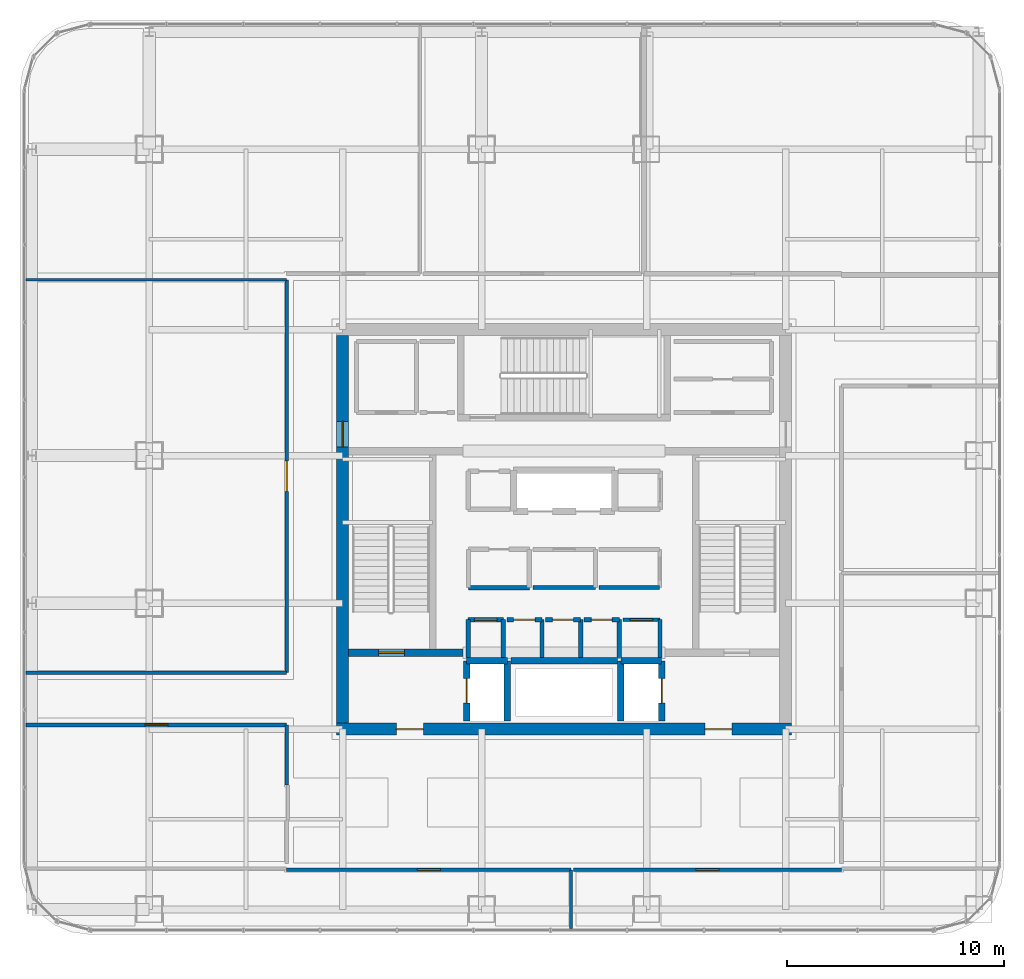
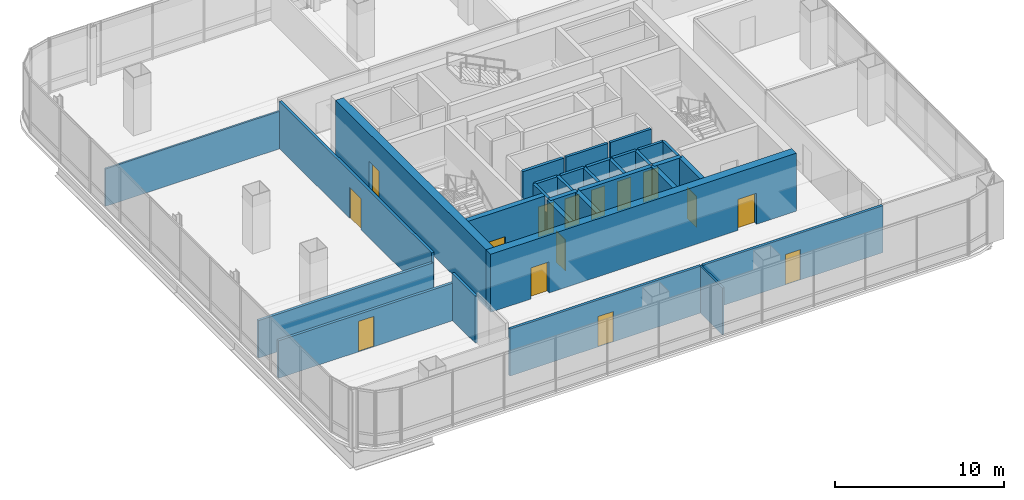
# One storey, part 34 of 41: 32 walls, 15 doors, 15 openings.
"""IFC4 building model written with IfcOpenShell, lengths in metres."""

from ifc_helpers import new_model, si_unit, direction, frame, frame_2d, origin, place, context, subcontext, project, spatial, rectangle, extrude, material, layer, layer_set, type_object, element, fill, save


model = new_model("IFC4")

# Units and contexts
model_context = context("Model", 3, precision=1e-05, world=origin(), true_north=direction((0.0, 1.0)))
body_context = subcontext(model_context, "Body", "Model", "MODEL_VIEW")
ifc_project = project(units=[si_unit("LENGTHUNIT", "METRE"), si_unit("AREAUNIT", "SQUARE_METRE"), si_unit("VOLUMEUNIT", "CUBIC_METRE"), si_unit("PLANEANGLEUNIT", "RADIAN"), si_unit("MASSUNIT", "GRAM", prefix="KILO")], contexts=[model_context])

# Site, building, storey
site_placement = place(None, origin())
site = spatial("IfcSite", under=ifc_project, at=site_placement, CompositionType="ELEMENT")
building_placement = place(site_placement, origin())
building = spatial("IfcBuilding", under=site, at=building_placement, Name="Punatoya Terracotta Tower", CompositionType="ELEMENT")
storey_placement = place(building_placement, frame((0.0, 0.0, 288.0)))
storey = spatial("IfcBuildingStorey", under=building, at=storey_placement, Name="L68", CompositionType="ELEMENT", Elevation=288.0)

# Wall, openings, doors
ifc_material_1 = material(Name="Concrete C50/60", Category="concrete")
ifc_layer_1 = layer(ifc_material_1, 0.550048828125)
ifc_layer_set_1 = layer_set([ifc_layer_1], Name="Concrete C50/60")
wall_type_1 = type_object("IfcWallType", Name="WL-COR-550", PredefinedType="SHEAR", material=ifc_layer_set_1)
wall_1_placement = place(storey_placement, frame((10.47509765625, -9.199951171875, 0.0), z_axis=(0.0, 0.0, 1.0), x_axis=(-1.0, 0.0, 0.0)))
wall_1 = element("IfcWall", 1, at=wall_1_placement, inside=storey, type_object=wall_type_1, Name="L68 Core Shear Wall S", PredefinedType="SHEAR", context=body_context, shape_type="SweptSolid", body=[
    extrude(rectangle(XDim=20.9501953125, YDim=0.550048828125, at=frame_2d((10.47509765625, 0.0))), origin(), (0.0, 0.0, 1.0), 4.199951171875),
])
opening_1_placement = place(wall_1_placement, frame((2.75, 0.0, 0.0)))
opening_1 = element("IfcOpeningElement", 2, at=opening_1_placement, cuts=wall_1, Name="Opening FD-L1", PredefinedType="OPENING", context=body_context, shape_type="SweptSolid", body=[
    extrude(rectangle(XDim=1.25, YDim=2.25, at=frame_2d((0.625, 1.125))), frame((0.0, 0.284912109375, 0.0), z_axis=(0.0, -1.0, 0.0), x_axis=(1.0, 0.0, 0.0)), (0.0, 0.0, 1.0), 0.570068359375),
])
opening_2_placement = place(wall_1_placement, frame((16.949951171875, 0.0, 0.0)))
opening_2 = element("IfcOpeningElement", 3, at=opening_2_placement, cuts=wall_1, Name="Opening FD-L1", PredefinedType="OPENING", context=body_context, shape_type="SweptSolid", body=[
    extrude(rectangle(XDim=1.25, YDim=2.25, at=frame_2d((0.625, 1.125))), frame((0.0, 0.284912109375, 0.0), z_axis=(0.0, -1.0, 0.0), x_axis=(1.0, 0.0, 0.0)), (0.0, 0.0, 1.0), 0.570068359375),
])
ifc_material_2 = material(Name="Galvanised Steel Smokeproof Fire Door", Category="steel")
door_type_1 = type_object("IfcDoorType", Name="DR-FFL-1250", OperationType="NOTDEFINED", PredefinedType="DOOR", material=ifc_material_2)
door_1_placement = place(opening_1_placement, origin())
door_1 = element("IfcDoor", 4, at=door_1_placement, inside=storey, type_object=door_type_1, Name="L68 East Firefighting Lobby Corridor Fire Door", OperationType="SINGLE_SWING_LEFT", OverallHeight=2.25, OverallWidth=1.25, PredefinedType="DOOR", context=body_context, shape_type="SweptSolid", body=[
    extrude(rectangle(XDim=1.25, YDim=2.25, at=frame_2d((0.625, 1.125))), frame((0.0, 0.02490234375, 0.0), z_axis=(0.0, -1.0, 0.0), x_axis=(1.0, 0.0, 0.0)), (0.0, 0.0, 1.0), 0.050048828125),
])
fill(opening_1, door_1)
door_2_placement = place(opening_2_placement, origin())
door_2 = element("IfcDoor", 5, at=door_2_placement, inside=storey, type_object=door_type_1, Name="L68 West Firefighting Lobby Corridor Fire Door", OperationType="SINGLE_SWING_RIGHT", OverallHeight=2.25, OverallWidth=1.25, PredefinedType="DOOR", context=body_context, shape_type="SweptSolid", body=[
    extrude(rectangle(XDim=1.25, YDim=2.25, at=frame_2d((0.625, 1.125))), frame((0.0, 0.02490234375, 0.0), z_axis=(0.0, -1.0, 0.0), x_axis=(1.0, 0.0, 0.0)), (0.0, 0.0, 1.0), 0.050048828125),
])
fill(opening_2, door_2)

# Wall, opening, door
wall_2_placement = place(storey_placement, frame((-10.199951171875, -8.925048828125, 0.0), z_axis=(0.0, 0.0, 1.0), x_axis=(0.0, 1.0, 0.0)))
wall_2 = element("IfcWall", 6, at=wall_2_placement, inside=storey, type_object=wall_type_1, Name="L68 Core Shear Wall W", PredefinedType="SHEAR", context=body_context, shape_type="SweptSolid", body=[
    extrude(rectangle(XDim=17.85009765625, YDim=0.550048828125, at=frame_2d((8.925048828125, 0.0))), origin(), (0.0, 0.0, 1.0), 4.199951171875),
])
opening_3_placement = place(wall_2_placement, frame((12.715087890625, 0.0, 0.0)))
opening_3 = element("IfcOpeningElement", 7, at=opening_3_placement, cuts=wall_2, Name="Opening SD-01", PredefinedType="OPENING", context=body_context, shape_type="SweptSolid", body=[
    extrude(rectangle(XDim=1.179931640625, YDim=2.199951171875, at=frame_2d((0.58984375, 1.10009765625))), frame((0.0, 0.284912109375, 0.0), z_axis=(0.0, -1.0, 0.0), x_axis=(1.0, 0.0, 0.0)), (0.0, 0.0, 1.0), 0.570068359375),
])
ifc_material_3 = material(Name="Galvanised Steel Pressurized Stair Fire Door", Category="steel")
door_type_2 = type_object("IfcDoorType", Name="DR-STR-1180", OperationType="NOTDEFINED", PredefinedType="DOOR", material=ifc_material_3)
door_3_placement = place(opening_3_placement, origin())
door_3 = element("IfcDoor", 8, at=door_3_placement, inside=storey, type_object=door_type_2, Name="L68 Central Lift Lobby West Fire Door", OperationType="SINGLE_SWING_LEFT", OverallHeight=2.199951171875, OverallWidth=1.179931640625, PredefinedType="DOOR", context=body_context, shape_type="SweptSolid", body=[
    extrude(rectangle(XDim=1.179931640625, YDim=2.199951171875, at=frame_2d((0.58984375, 1.10009765625))), frame((0.0, 0.02490234375, 0.0), z_axis=(0.0, -1.0, 0.0), x_axis=(1.0, 0.0, 0.0)), (0.0, 0.0, 1.0), 0.050048828125),
])
fill(opening_3, door_3)

# Wall
ifc_material_4 = material(Name="Gypsum Fireboard + Steel Stud", Category="steel")
ifc_layer_2 = layer(ifc_material_4, 0.179931640625)
ifc_layer_set_2 = layer_set([ifc_layer_2], Name="Gypsum Fireboard + Steel Stud")
wall_type_2 = type_object("IfcWallType", Name="WL-CORR-180", PredefinedType="PARTITIONING", material=ifc_layer_set_2)
wall_3_placement = place(storey_placement, frame((4.419921875, -5.89990234375, 0.0), z_axis=(0.0, 0.0, 1.0), x_axis=(0.0, 1.0, 0.0)))
element("IfcWall", 9, at=wall_3_placement, inside=storey, type_object=wall_type_2, Name="L68 Core Focus Booth Partition 10", PredefinedType="PARTITIONING", context=body_context, shape_type="SweptSolid", body=[
    extrude(rectangle(XDim=1.739990234375, YDim=0.179931640625, at=frame_2d((0.8701171875, 0.0))), origin(), (0.0, 0.0, 1.0), 4.0),
])

# Wall, opening, door
wall_4_placement = place(storey_placement, frame((4.419921875, -4.159912109375, 0.0), z_axis=(0.0, 0.0, 1.0), x_axis=(-1.0, 0.0, 0.0)))
wall_4 = element("IfcWall", 10, at=wall_4_placement, inside=storey, type_object=wall_type_2, Name="L68 Core Focus Booth Partition 11", PredefinedType="PARTITIONING", context=body_context, shape_type="SweptSolid", body=[
    extrude(rectangle(XDim=1.719970703125, YDim=0.179931640625, at=frame_2d((0.85986328125, 0.0))), origin(), (0.0, 0.0, 1.0), 4.0),
])
opening_4_placement = place(wall_4_placement, frame((0.35009765625, 0.0, 0.0)))
opening_4 = element("IfcOpeningElement", 11, at=opening_4_placement, cuts=wall_4, Name="Opening MD-01", PredefinedType="OPENING", context=body_context, shape_type="SweptSolid", body=[
    extrude(rectangle(XDim=1.02001953125, YDim=2.199951171875, at=frame_2d((0.510009765625, 1.10009765625))), frame((0.0, 0.099853515625, 0.0), z_axis=(0.0, -1.0, 0.0), x_axis=(1.0, 0.0, 0.0)), (0.0, 0.0, 1.0), 0.199951171875),
])
ifc_material_5 = material(Name="Aluminium + Acoustic Glass Leaf", Category="aluminium")
door_type_3 = type_object("IfcDoorType", Name="DR-MTG-1020", OperationType="NOTDEFINED", PredefinedType="DOOR", material=ifc_material_5)
door_4_placement = place(opening_4_placement, origin())
door_4 = element("IfcDoor", 12, at=door_4_placement, inside=storey, type_object=door_type_3, Name="L68 Focus Booth Door", OperationType="SINGLE_SWING_RIGHT", OverallHeight=2.199951171875, OverallWidth=1.02001953125, PredefinedType="DOOR", context=body_context, shape_type="SweptSolid", body=[
    extrude(rectangle(XDim=1.02001953125, YDim=2.199951171875, at=frame_2d((0.510009765625, 1.10009765625))), frame((0.0, 0.02490234375, 0.0), z_axis=(0.0, -1.0, 0.0), x_axis=(1.0, 0.0, 0.0)), (0.0, 0.0, 1.0), 0.050048828125),
])
fill(opening_4, door_4)

# Walls
wall_5_placement = place(storey_placement, frame((-1.43994140625, -2.679931640625, 0.0), z_axis=(0.0, 0.0, 1.0), x_axis=(1.0, 0.0, 0.0)))
element("IfcWall", 13, at=wall_5_placement, inside=storey, type_object=wall_type_2, Name="L68 Center Core Briefing Pod Partition 18", PredefinedType="PARTITIONING", context=body_context, shape_type="SweptSolid", body=[
    extrude(rectangle(XDim=2.8798828125, YDim=0.179931640625, at=frame_2d((1.43994140625, 0.0))), origin(), (0.0, 0.0, 1.0), 4.0),
])
wall_6_placement = place(storey_placement, frame((1.60009765625, -2.679931640625, 0.0), z_axis=(0.0, 0.0, 1.0), x_axis=(1.0, 0.0, 0.0)))
element("IfcWall", 14, at=wall_6_placement, inside=storey, type_object=wall_type_2, Name="L68 Right Core Copy Room Partition 21", PredefinedType="PARTITIONING", context=body_context, shape_type="SweptSolid", body=[
    extrude(rectangle(XDim=2.7998046875, YDim=0.179931640625, at=frame_2d((1.39990234375, 0.0))), origin(), (0.0, 0.0, 1.0), 4.0),
])

# Wall, opening, door
wall_7_placement = place(storey_placement, frame((-12.77001953125, -15.669921875, 0.0), z_axis=(0.0, 0.0, 1.0), x_axis=(1.0, 0.0, 0.0)))
wall_7 = element("IfcWall", 15, at=wall_7_placement, inside=storey, type_object=wall_type_2, Name="L68 Open-Plan Computational Simulation Laboratory Partition 40", PredefinedType="PARTITIONING", context=body_context, shape_type="SweptSolid", body=[
    extrude(rectangle(XDim=13.088134765625, YDim=0.179931640625, at=frame_2d((6.5439453125, 0.0))), origin(), (0.0, 0.0, 1.0), 3.39404296875),
])
opening_5_placement = place(wall_7_placement, frame((6.01904296875, 0.0, 0.0)))
opening_5 = element("IfcOpeningElement", 16, at=opening_5_placement, cuts=wall_7, Name="Opening OD-01", PredefinedType="OPENING", context=body_context, shape_type="SweptSolid", body=[
    extrude(rectangle(XDim=1.050048828125, YDim=2.199951171875, at=frame_2d((0.52490234375, 1.10009765625))), frame((0.0, 0.099853515625, 0.0), z_axis=(0.0, -1.0, 0.0), x_axis=(1.0, 0.0, 0.0)), (0.0, 0.0, 1.0), 0.199951171875),
])
ifc_material_6 = material(Name="Bengal Teak Solid-Core Leaf")
door_type_4 = type_object("IfcDoorType", Name="DR-OFF-1050", OperationType="NOTDEFINED", PredefinedType="DOOR", material=ifc_material_6)
door_5_placement = place(opening_5_placement, origin())
door_5 = element("IfcDoor", 17, at=door_5_placement, inside=storey, type_object=door_type_4, Name="L68 Open-Plan Computational Simulation Laboratory Door", OperationType="SINGLE_SWING_RIGHT", OverallHeight=2.199951171875, OverallWidth=1.050048828125, PredefinedType="DOOR", context=body_context, shape_type="SweptSolid", body=[
    extrude(rectangle(XDim=1.050048828125, YDim=2.199951171875, at=frame_2d((0.52490234375, 1.10009765625))), frame((0.0, 0.02490234375, 0.0), z_axis=(0.0, -1.0, 0.0), x_axis=(1.0, 0.0, 0.0)), (0.0, 0.0, 1.0), 0.050048828125),
])
fill(opening_5, door_5)

wall_8_placement = place(storey_placement, frame((0.43798828125, -15.669921875, 0.0), z_axis=(0.0, 0.0, 1.0), x_axis=(1.0, 0.0, 0.0)))
wall_8 = element("IfcWall", 18, at=wall_8_placement, inside=storey, type_object=wall_type_2, Name="L68 Open-Plan Cartography Reference Library Partition 42", PredefinedType="PARTITIONING", context=body_context, shape_type="SweptSolid", body=[
    extrude(rectangle(XDim=12.33203125, YDim=0.179931640625, at=frame_2d((6.166015625, 0.0))), origin(), (0.0, 0.0, 1.0), 3.39404296875),
])
opening_6_placement = place(wall_8_placement, frame((5.64111328125, 0.0, 0.0)))
opening_6 = element("IfcOpeningElement", 19, at=opening_6_placement, cuts=wall_8, Name="Opening OD-01", PredefinedType="OPENING", context=body_context, shape_type="SweptSolid", body=[
    extrude(rectangle(XDim=1.050048828125, YDim=2.199951171875, at=frame_2d((0.52490234375, 1.10009765625))), frame((0.0, 0.099853515625, 0.0), z_axis=(0.0, -1.0, 0.0), x_axis=(1.0, 0.0, 0.0)), (0.0, 0.0, 1.0), 0.199951171875),
])
door_6_placement = place(opening_6_placement, origin())
door_6 = element("IfcDoor", 20, at=door_6_placement, inside=storey, type_object=door_type_4, Name="L68 Open-Plan Cartography Reference Library Door", OperationType="SINGLE_SWING_LEFT", OverallHeight=2.199951171875, OverallWidth=1.050048828125, PredefinedType="DOOR", context=body_context, shape_type="SweptSolid", body=[
    extrude(rectangle(XDim=1.050048828125, YDim=2.199951171875, at=frame_2d((0.52490234375, 1.10009765625))), frame((0.0, 0.02490234375, 0.0), z_axis=(0.0, -1.0, 0.0), x_axis=(1.0, 0.0, 0.0)), (0.0, 0.0, 1.0), 0.050048828125),
])
fill(opening_6, door_6)

wall_9_placement = place(storey_placement, frame((-24.77001953125, -9.0, 0.0), z_axis=(0.0, 0.0, 1.0), x_axis=(1.0, 0.0, 0.0)))
wall_9 = element("IfcWall", 21, at=wall_9_placement, inside=storey, type_object=wall_type_2, Name="L68 Materials Testing Laboratory Partition 44", PredefinedType="PARTITIONING", context=body_context, shape_type="SweptSolid", body=[
    extrude(rectangle(XDim=12.0, YDim=0.179931640625, at=frame_2d((6.0, 0.0))), origin(), (0.0, 0.0, 1.0), 2.714111328125),
])
opening_7_placement = place(wall_9_placement, frame((5.47509765625, 0.0, 0.0)))
opening_7 = element("IfcOpeningElement", 22, at=opening_7_placement, cuts=wall_9, Name="Opening OD-01", PredefinedType="OPENING", context=body_context, shape_type="SweptSolid", body=[
    extrude(rectangle(XDim=1.050048828125, YDim=2.199951171875, at=frame_2d((0.52490234375, 1.10009765625))), frame((0.0, 0.099853515625, 0.0), z_axis=(0.0, -1.0, 0.0), x_axis=(1.0, 0.0, 0.0)), (0.0, 0.0, 1.0), 0.199951171875),
])
door_7_placement = place(opening_7_placement, origin())
door_7 = element("IfcDoor", 23, at=door_7_placement, inside=storey, type_object=door_type_4, Name="L68 Materials Testing Laboratory Door", OperationType="SINGLE_SWING_RIGHT", OverallHeight=2.199951171875, OverallWidth=1.050048828125, PredefinedType="DOOR", context=body_context, shape_type="SweptSolid", body=[
    extrude(rectangle(XDim=1.050048828125, YDim=2.199951171875, at=frame_2d((0.52490234375, 1.10009765625))), frame((0.0, 0.02490234375, 0.0), z_axis=(0.0, -1.0, 0.0), x_axis=(1.0, 0.0, 0.0)), (0.0, 0.0, 1.0), 0.050048828125),
])
fill(opening_7, door_7)

# Wall
wall_10_placement = place(storey_placement, frame((-12.77001953125, -9.0, 0.0), z_axis=(0.0, 0.0, 1.0), x_axis=(0.0, -1.0, 0.0)))
element("IfcWall", 24, at=wall_10_placement, inside=storey, type_object=wall_type_2, Name="L68 Materials Testing Laboratory Partition 45", PredefinedType="PARTITIONING", context=body_context, shape_type="SweptSolid", body=[
    extrude(rectangle(XDim=2.77001953125, YDim=0.179931640625, at=frame_2d((1.385009765625, 0.0))), origin(), (0.0, 0.0, 1.0), 3.39404296875),
])

# Wall, opening, door
wall_11_placement = place(storey_placement, frame((-12.77001953125, 11.489990234375, 0.0), z_axis=(0.0, 0.0, 1.0), x_axis=(0.0, -1.0, 0.0)))
wall_11 = element("IfcWall", 25, at=wall_11_placement, inside=storey, type_object=wall_type_2, Name="L68 Technical Seminar Room Partition 53", PredefinedType="PARTITIONING", context=body_context, shape_type="SweptSolid", body=[
    extrude(rectangle(XDim=18.090087890625, YDim=0.179931640625, at=frame_2d((9.044921875, 0.0))), origin(), (0.0, 0.0, 1.0), 3.39404296875),
])
opening_8_placement = place(wall_11_placement, frame((8.344970703125, 0.0, 0.0)))
opening_8 = element("IfcOpeningElement", 26, at=opening_8_placement, cuts=wall_11, Name="Opening BD-01", PredefinedType="OPENING", context=body_context, shape_type="SweptSolid", body=[
    extrude(rectangle(XDim=1.39990234375, YDim=2.25, at=frame_2d((0.699951171875, 1.125))), frame((0.0, 0.099853515625, 0.0), z_axis=(0.0, -1.0, 0.0), x_axis=(1.0, 0.0, 0.0)), (0.0, 0.0, 1.0), 0.199951171875),
])
ifc_material_7 = material(Name="Bengal Teak Acoustic Leaf")
door_type_5 = type_object("IfcDoorType", Name="DR-BRD-1400", OperationType="NOTDEFINED", PredefinedType="DOOR", material=ifc_material_7)
door_8_placement = place(opening_8_placement, origin())
door_8 = element("IfcDoor", 27, at=door_8_placement, inside=storey, type_object=door_type_5, Name="L68 Technical Seminar Room Door", OperationType="SINGLE_SWING_RIGHT", OverallHeight=2.25, OverallWidth=1.39990234375, PredefinedType="DOOR", context=body_context, shape_type="SweptSolid", body=[
    extrude(rectangle(XDim=1.39990234375, YDim=2.25, at=frame_2d((0.699951171875, 1.125))), frame((0.0, 0.02490234375, 0.0), z_axis=(0.0, -1.0, 0.0), x_axis=(1.0, 0.0, 0.0)), (0.0, 0.0, 1.0), 0.050048828125),
])
fill(opening_8, door_8)

# Walls
wall_12_placement = place(storey_placement, frame((-12.77001953125, -6.60009765625, 0.0), z_axis=(0.0, 0.0, 1.0), x_axis=(-1.0, 0.0, 0.0)))
element("IfcWall", 28, at=wall_12_placement, inside=storey, type_object=wall_type_2, Name="L68 Technical Seminar Room Partition 54", PredefinedType="PARTITIONING", context=body_context, shape_type="SweptSolid", body=[
    extrude(rectangle(XDim=12.0, YDim=0.179931640625, at=frame_2d((6.0, 0.0))), origin(), (0.0, 0.0, 1.0), 2.714111328125),
])
ifc_material_8 = material(Name="Concrete C40/50", Category="concrete")
ifc_layer_3 = layer(ifc_material_8, 0.199951171875)
ifc_layer_set_3 = layer_set([ifc_layer_3], Name="Concrete C40/50")
wall_type_3 = type_object("IfcWallType", Name="WL-INT-200", PredefinedType="SOLIDWALL", material=ifc_layer_set_3)
wall_13_placement = place(storey_placement, frame((-2.800048828125, -5.89990234375, 0.0), z_axis=(0.0, 0.0, 1.0), x_axis=(0.0, 1.0, 0.0)))
element("IfcWall", 29, at=wall_13_placement, inside=storey, type_object=wall_type_3, Name="L68 Core Tea Pantry Partition 01", PredefinedType="SOLIDWALL", context=body_context, shape_type="SweptSolid", body=[
    extrude(rectangle(XDim=1.739990234375, YDim=0.199951171875, at=frame_2d((0.8701171875, 0.0))), origin(), (0.0, 0.0, 1.0), 4.0),
])

# Wall, opening, door
wall_14_placement = place(storey_placement, frame((-2.800048828125, -4.159912109375, 0.0), z_axis=(0.0, 0.0, 1.0), x_axis=(-1.0, 0.0, 0.0)))
wall_14 = element("IfcWall", 30, at=wall_14_placement, inside=storey, type_object=wall_type_3, Name="L68 Core Tea Pantry Partition 02", PredefinedType="SOLIDWALL", context=body_context, shape_type="SweptSolid", body=[
    extrude(rectangle(XDim=1.619873046875, YDim=0.199951171875, at=frame_2d((0.81005859375, 0.0))), origin(), (0.0, 0.0, 1.0), 4.0),
])
opening_9_placement = place(wall_14_placement, frame((0.284912109375, 0.0, 0.0)))
opening_9 = element("IfcOpeningElement", 31, at=opening_9_placement, cuts=wall_14, Name="Opening OD-01", PredefinedType="OPENING", context=body_context, shape_type="SweptSolid", body=[
    extrude(rectangle(XDim=1.050048828125, YDim=2.199951171875, at=frame_2d((0.52490234375, 1.10009765625))), frame((0.0, 0.10986328125, 0.0), z_axis=(0.0, -1.0, 0.0), x_axis=(1.0, 0.0, 0.0)), (0.0, 0.0, 1.0), 0.219970703125),
])
door_9_placement = place(opening_9_placement, origin())
door_9 = element("IfcDoor", 32, at=door_9_placement, inside=storey, type_object=door_type_4, Name="L68 Tea Pantry Door", OperationType="SINGLE_SWING_RIGHT", OverallHeight=2.199951171875, OverallWidth=1.050048828125, PredefinedType="DOOR", context=body_context, shape_type="SweptSolid", body=[
    extrude(rectangle(XDim=1.050048828125, YDim=2.199951171875, at=frame_2d((0.52490234375, 1.10009765625))), frame((0.0, 0.02490234375, 0.0), z_axis=(0.0, -1.0, 0.0), x_axis=(1.0, 0.0, 0.0)), (0.0, 0.0, 1.0), 0.050048828125),
])
fill(opening_9, door_9)

# Walls
for number, where, z_axis, x_axis, name in (
    (33, (-4.419921875, -4.159912109375, 0.0), (0.0, 0.0, 1.0), (0.0, -1.0, 0.0), "L68 Core Tea Pantry Partition 03"),
    (34, (-1.02001953125, -5.89990234375, 0.0), (0.0, 0.0, 1.0), (0.0, 1.0, 0.0), "L68 Accessible Washroom Partition 04"),
):
    element("IfcWall", number, at=place(storey_placement, frame(where, z_axis=z_axis, x_axis=x_axis)), inside=storey, type_object=wall_type_3, Name=name, PredefinedType="SOLIDWALL", context=body_context, shape_type="SweptSolid", body=[
        extrude(rectangle(XDim=1.739990234375, YDim=0.199951171875, at=frame_2d((0.8701171875, 0.0))), origin(), (0.0, 0.0, 1.0), 4.0),
    ])

# Wall, opening, door
wall_15_placement = place(storey_placement, frame((-1.02001953125, -4.159912109375, 0.0), z_axis=(0.0, 0.0, 1.0), x_axis=(-1.0, 0.0, 0.0)))
wall_15 = element("IfcWall", 35, at=wall_15_placement, inside=storey, type_object=wall_type_3, Name="L68 Accessible Washroom Partition 05", PredefinedType="SOLIDWALL", context=body_context, shape_type="SweptSolid", body=[
    extrude(rectangle(XDim=1.619873046875, YDim=0.199951171875, at=frame_2d((0.81005859375, 0.0))), origin(), (0.0, 0.0, 1.0), 4.0),
])
opening_10_placement = place(wall_15_placement, frame((0.31005859375, 0.0, 0.0)))
opening_10 = element("IfcOpeningElement", 36, at=opening_10_placement, cuts=wall_15, Name="Opening AWD-1", PredefinedType="OPENING", context=body_context, shape_type="SweptSolid", body=[
    extrude(rectangle(XDim=1.0, YDim=2.14990234375, at=frame_2d((0.5, 1.074951171875))), frame((0.0, 0.10986328125, 0.0), z_axis=(0.0, -1.0, 0.0), x_axis=(1.0, 0.0, 0.0)), (0.0, 0.0, 1.0), 0.219970703125),
])
ifc_material_9 = material(Name="Bengal Teak Accessible WC Leaf")
door_type_6 = type_object("IfcDoorType", Name="DR-ACC-1000", OperationType="NOTDEFINED", PredefinedType="DOOR", material=ifc_material_9)
door_10_placement = place(opening_10_placement, origin())
door_10 = element("IfcDoor", 37, at=door_10_placement, inside=storey, type_object=door_type_6, Name="L68 Accessible Washroom Door", OperationType="SINGLE_SWING_LEFT", OverallHeight=2.14990234375, OverallWidth=1.0, PredefinedType="DOOR", context=body_context, shape_type="SweptSolid", body=[
    extrude(rectangle(XDim=1.0, YDim=2.14990234375, at=frame_2d((0.5, 1.074951171875))), frame((0.0, 0.02490234375, 0.0), z_axis=(0.0, -1.0, 0.0), x_axis=(1.0, 0.0, 0.0)), (0.0, 0.0, 1.0), 0.050048828125),
])
fill(opening_10, door_10)

# Wall
wall_16_placement = place(storey_placement, frame((0.760009765625, -5.89990234375, 0.0), z_axis=(0.0, 0.0, 1.0), x_axis=(0.0, 1.0, 0.0)))
element("IfcWall", 38, at=wall_16_placement, inside=storey, type_object=wall_type_3, Name="L68 Female Washroom Partition 06", PredefinedType="SOLIDWALL", context=body_context, shape_type="SweptSolid", body=[
    extrude(rectangle(XDim=1.739990234375, YDim=0.199951171875, at=frame_2d((0.8701171875, 0.0))), origin(), (0.0, 0.0, 1.0), 4.0),
])

# Wall, opening, door
wall_17_placement = place(storey_placement, frame((0.760009765625, -4.159912109375, 0.0), z_axis=(0.0, 0.0, 1.0), x_axis=(-1.0, 0.0, 0.0)))
wall_17 = element("IfcWall", 39, at=wall_17_placement, inside=storey, type_object=wall_type_3, Name="L68 Female Washroom Partition 07", PredefinedType="SOLIDWALL", context=body_context, shape_type="SweptSolid", body=[
    extrude(rectangle(XDim=1.6201171875, YDim=0.199951171875, at=frame_2d((0.81005859375, 0.0))), origin(), (0.0, 0.0, 1.0), 4.0),
])
opening_11_placement = place(wall_17_placement, frame((0.3349609375, 0.0, 0.0)))
opening_11 = element("IfcOpeningElement", 40, at=opening_11_placement, cuts=wall_17, Name="Opening WD-01", PredefinedType="OPENING", context=body_context, shape_type="SweptSolid", body=[
    extrude(rectangle(XDim=0.949951171875, YDim=2.14990234375, at=frame_2d((0.47509765625, 1.074951171875))), frame((0.0, 0.10986328125, 0.0), z_axis=(0.0, -1.0, 0.0), x_axis=(1.0, 0.0, 0.0)), (0.0, 0.0, 1.0), 0.219970703125),
])
ifc_material_10 = material(Name="Moisture-Resistant Laminate Timber Leaf", Category="wood")
door_type_7 = type_object("IfcDoorType", Name="DR-WC-950", OperationType="NOTDEFINED", PredefinedType="DOOR", material=ifc_material_10)
door_11_placement = place(opening_11_placement, origin())
door_11 = element("IfcDoor", 41, at=door_11_placement, inside=storey, type_object=door_type_7, Name="L68 Female Washroom Door", OperationType="SINGLE_SWING_RIGHT", OverallHeight=2.14990234375, OverallWidth=0.949951171875, PredefinedType="DOOR", context=body_context, shape_type="SweptSolid", body=[
    extrude(rectangle(XDim=0.949951171875, YDim=2.14990234375, at=frame_2d((0.47509765625, 1.074951171875))), frame((0.0, 0.02490234375, 0.0), z_axis=(0.0, -1.0, 0.0), x_axis=(1.0, 0.0, 0.0)), (0.0, 0.0, 1.0), 0.050048828125),
])
fill(opening_11, door_11)

# Wall
wall_18_placement = place(storey_placement, frame((2.5400390625, -5.89990234375, 0.0), z_axis=(0.0, 0.0, 1.0), x_axis=(0.0, 1.0, 0.0)))
element("IfcWall", 42, at=wall_18_placement, inside=storey, type_object=wall_type_3, Name="L68 Male Washroom Partition 08", PredefinedType="SOLIDWALL", context=body_context, shape_type="SweptSolid", body=[
    extrude(rectangle(XDim=1.739990234375, YDim=0.199951171875, at=frame_2d((0.8701171875, 0.0))), origin(), (0.0, 0.0, 1.0), 4.0),
])

# Wall, opening, door
wall_19_placement = place(storey_placement, frame((2.5400390625, -4.159912109375, 0.0), z_axis=(0.0, 0.0, 1.0), x_axis=(-1.0, 0.0, 0.0)))
wall_19 = element("IfcWall", 43, at=wall_19_placement, inside=storey, type_object=wall_type_3, Name="L68 Male Washroom Partition 09", PredefinedType="SOLIDWALL", context=body_context, shape_type="SweptSolid", body=[
    extrude(rectangle(XDim=1.6201171875, YDim=0.199951171875, at=frame_2d((0.81005859375, 0.0))), origin(), (0.0, 0.0, 1.0), 4.0),
])
opening_12_placement = place(wall_19_placement, frame((0.3349609375, 0.0, 0.0)))
opening_12 = element("IfcOpeningElement", 44, at=opening_12_placement, cuts=wall_19, Name="Opening WD-01", PredefinedType="OPENING", context=body_context, shape_type="SweptSolid", body=[
    extrude(rectangle(XDim=0.949951171875, YDim=2.14990234375, at=frame_2d((0.47509765625, 1.074951171875))), frame((0.0, 0.10986328125, 0.0), z_axis=(0.0, -1.0, 0.0), x_axis=(1.0, 0.0, 0.0)), (0.0, 0.0, 1.0), 0.219970703125),
])
door_12_placement = place(opening_12_placement, origin())
door_12 = element("IfcDoor", 45, at=door_12_placement, inside=storey, type_object=door_type_7, Name="L68 Male Washroom Door", OperationType="SINGLE_SWING_LEFT", OverallHeight=2.14990234375, OverallWidth=0.949951171875, PredefinedType="DOOR", context=body_context, shape_type="SweptSolid", body=[
    extrude(rectangle(XDim=0.949951171875, YDim=2.14990234375, at=frame_2d((0.47509765625, 1.074951171875))), frame((0.0, 0.02490234375, 0.0), z_axis=(0.0, -1.0, 0.0), x_axis=(1.0, 0.0, 0.0)), (0.0, 0.0, 1.0), 0.050048828125),
])
fill(opening_12, door_12)

# Walls
wall_20_placement = place(storey_placement, frame((-4.39990234375, -2.679931640625, 0.0), z_axis=(0.0, 0.0, 1.0), x_axis=(1.0, 0.0, 0.0)))
element("IfcWall", 46, at=wall_20_placement, inside=storey, type_object=wall_type_3, Name="L68 Left Core Store Partition 15", PredefinedType="SOLIDWALL", context=body_context, shape_type="SweptSolid", body=[
    extrude(rectangle(XDim=2.7998046875, YDim=0.199951171875, at=frame_2d((1.39990234375, 0.0))), origin(), (0.0, 0.0, 1.0), 4.0),
])
ifc_material_11 = material(Name="Gypsum Partition + Steel Stud", Category="steel")
ifc_layer_4 = layer(ifc_material_11, 0.1201171875)
ifc_layer_set_4 = layer_set([ifc_layer_4], Name="Gypsum Partition + Steel Stud")
wall_type_4 = type_object("IfcWallType", Name="WL-OFF-120", PredefinedType="PARTITIONING", material=ifc_layer_set_4)
wall_21_placement = place(storey_placement, frame((0.318115234375, -15.669921875, 0.0), z_axis=(0.0, 0.0, 1.0), x_axis=(0.0, -1.0, 0.0)))
element("IfcWall", 47, at=wall_21_placement, inside=storey, type_object=wall_type_4, Name="L68 Open-Plan Computational Simulation Laboratory Partition 41", PredefinedType="PARTITIONING", context=body_context, shape_type="SweptSolid", body=[
    extrude(rectangle(XDim=2.7001953125, YDim=0.1201171875, at=frame_2d((1.35009765625, 0.0))), origin(), (0.0, 0.0, 1.0), 3.39404296875),
])
wall_22_placement = place(storey_placement, frame((-24.77001953125, 11.489990234375, 0.0), z_axis=(0.0, 0.0, 1.0), x_axis=(1.0, 0.0, 0.0)))
element("IfcWall", 48, at=wall_22_placement, inside=storey, type_object=wall_type_4, Name="L68 Technical Seminar Room Partition 52", PredefinedType="PARTITIONING", context=body_context, shape_type="SweptSolid", body=[
    extrude(rectangle(XDim=12.0, YDim=0.1201171875, at=frame_2d((6.0, 0.0))), origin(), (0.0, 0.0, 1.0), 2.714111328125),
])

# Wall, opening, door
ifc_layer_5 = layer(ifc_material_8, 0.300048828125)
ifc_layer_set_5 = layer_set([ifc_layer_5], Name="Concrete C40/50")
wall_type_5 = type_object("IfcWallType", Name="WL-SHF-300", PredefinedType="SOLIDWALL", material=ifc_layer_set_5)
wall_23_placement = place(storey_placement, frame((-4.489990234375, -8.820068359375, 0.0), z_axis=(0.0, 0.0, 1.0), x_axis=(0.0, 1.0, 0.0)))
wall_23 = element("IfcWall", 49, at=wall_23_placement, inside=storey, type_object=wall_type_5, Name="L68 FFL-1 Front Hoistway Wall", PredefinedType="SOLIDWALL", context=body_context, shape_type="SweptSolid", body=[
    extrude(rectangle(XDim=2.77001953125, YDim=0.300048828125, at=frame_2d((1.385009765625, 0.0))), origin(), (0.0, 0.0, 1.0), 4.0),
])
opening_13_placement = place(wall_23_placement, frame((0.824951171875, 0.0, 0.0)))
opening_13 = element("IfcOpeningElement", 50, at=opening_13_placement, cuts=wall_23, Name="Opening LD-02", PredefinedType="OPENING", context=body_context, shape_type="SweptSolid", body=[
    extrude(rectangle(XDim=1.1201171875, YDim=2.25, at=frame_2d((0.56005859375, 1.125))), frame((0.0, 0.159912109375, 0.0), z_axis=(0.0, -1.0, 0.0), x_axis=(1.0, 0.0, 0.0)), (0.0, 0.0, 1.0), 0.320068359375),
])
ifc_material_12 = material(Name="Stainless Steel Lift Landing Door", Category="steel")
door_type_8 = type_object("IfcDoorType", Name="DR-LND-1120", OperationType="NOTDEFINED", PredefinedType="DOOR", material=ifc_material_12)
door_13_placement = place(opening_13_placement, origin())
door_13 = element("IfcDoor", 51, at=door_13_placement, inside=storey, type_object=door_type_8, Name="L68 Firefighting Lift FFL-1 Sliding Landing Door", OperationType="SLIDING_TO_LEFT", OverallHeight=2.25, OverallWidth=1.1201171875, PredefinedType="DOOR", context=body_context, shape_type="SweptSolid", body=[
    extrude(rectangle(XDim=1.1201171875, YDim=2.25, at=frame_2d((0.56005859375, 1.125))), frame((0.0, 0.02490234375, 0.0), z_axis=(0.0, -1.0, 0.0), x_axis=(1.0, 0.0, 0.0)), (0.0, 0.0, 1.0), 0.050048828125),
])
fill(opening_13, door_13)

# Walls
wall_24_placement = place(storey_placement, frame((-2.610107421875, -8.820068359375, 0.0), z_axis=(0.0, 0.0, 1.0), x_axis=(0.0, 1.0, 0.0)))
element("IfcWall", 52, at=wall_24_placement, inside=storey, type_object=wall_type_5, Name="L68 FFL-1 Rear Hoistway Wall", PredefinedType="SOLIDWALL", context=body_context, shape_type="SweptSolid", body=[
    extrude(rectangle(XDim=2.77001953125, YDim=0.300048828125, at=frame_2d((1.385009765625, 0.0))), origin(), (0.0, 0.0, 1.0), 4.0),
])
wall_25_placement = place(storey_placement, frame((-4.489990234375, -6.050048828125, 0.0), z_axis=(0.0, 0.0, 1.0), x_axis=(1.0, 0.0, 0.0)))
element("IfcWall", 53, at=wall_25_placement, inside=storey, type_object=wall_type_5, Name="L68 FFL-1 North Hoistway Wall", PredefinedType="SOLIDWALL", context=body_context, shape_type="SweptSolid", body=[
    extrude(rectangle(XDim=1.8798828125, YDim=0.300048828125, at=frame_2d((0.93994140625, 0.0))), origin(), (0.0, 0.0, 1.0), 4.0),
])

# Wall, opening, door
wall_26_placement = place(storey_placement, frame((4.489990234375, -8.820068359375, 0.0), z_axis=(0.0, 0.0, 1.0), x_axis=(0.0, 1.0, 0.0)))
wall_26 = element("IfcWall", 54, at=wall_26_placement, inside=storey, type_object=wall_type_5, Name="L68 FFL-2 Front Hoistway Wall", PredefinedType="SOLIDWALL", context=body_context, shape_type="SweptSolid", body=[
    extrude(rectangle(XDim=2.77001953125, YDim=0.300048828125, at=frame_2d((1.385009765625, 0.0))), origin(), (0.0, 0.0, 1.0), 4.0),
])
opening_14_placement = place(wall_26_placement, frame((0.824951171875, 0.0, 0.0)))
opening_14 = element("IfcOpeningElement", 55, at=opening_14_placement, cuts=wall_26, Name="Opening LD-02", PredefinedType="OPENING", context=body_context, shape_type="SweptSolid", body=[
    extrude(rectangle(XDim=1.1201171875, YDim=2.25, at=frame_2d((0.56005859375, 1.125))), frame((0.0, 0.159912109375, 0.0), z_axis=(0.0, -1.0, 0.0), x_axis=(1.0, 0.0, 0.0)), (0.0, 0.0, 1.0), 0.320068359375),
])
door_14_placement = place(opening_14_placement, origin())
door_14 = element("IfcDoor", 56, at=door_14_placement, inside=storey, type_object=door_type_8, Name="L68 Firefighting Lift FFL-2 Sliding Landing Door", OperationType="SLIDING_TO_RIGHT", OverallHeight=2.25, OverallWidth=1.1201171875, PredefinedType="DOOR", context=body_context, shape_type="SweptSolid", body=[
    extrude(rectangle(XDim=1.1201171875, YDim=2.25, at=frame_2d((0.56005859375, 1.125))), frame((0.0, 0.02490234375, 0.0), z_axis=(0.0, -1.0, 0.0), x_axis=(1.0, 0.0, 0.0)), (0.0, 0.0, 1.0), 0.050048828125),
])
fill(opening_14, door_14)

# Walls
wall_27_placement = place(storey_placement, frame((2.610107421875, -8.820068359375, 0.0), z_axis=(0.0, 0.0, 1.0), x_axis=(0.0, 1.0, 0.0)))
element("IfcWall", 57, at=wall_27_placement, inside=storey, type_object=wall_type_5, Name="L68 FFL-2 Rear Hoistway Wall", PredefinedType="SOLIDWALL", context=body_context, shape_type="SweptSolid", body=[
    extrude(rectangle(XDim=2.77001953125, YDim=0.300048828125, at=frame_2d((1.385009765625, 0.0))), origin(), (0.0, 0.0, 1.0), 4.0),
])
wall_28_placement = place(storey_placement, frame((2.610107421875, -6.050048828125, 0.0), z_axis=(0.0, 0.0, 1.0), x_axis=(1.0, 0.0, 0.0)))
element("IfcWall", 58, at=wall_28_placement, inside=storey, type_object=wall_type_5, Name="L68 FFL-2 North Hoistway Wall", PredefinedType="SOLIDWALL", context=body_context, shape_type="SweptSolid", body=[
    extrude(rectangle(XDim=1.8798828125, YDim=0.300048828125, at=frame_2d((0.93994140625, 0.0))), origin(), (0.0, 0.0, 1.0), 4.0),
])
wall_29_placement = place(storey_placement, frame((-2.449951171875, -6.050048828125, 0.0), z_axis=(0.0, 0.0, 1.0), x_axis=(1.0, 0.0, 0.0)))
element("IfcWall", 59, at=wall_29_placement, inside=storey, type_object=wall_type_5, Name="L68 Observation Shuttle Rear Hoistway Wall", PredefinedType="SOLIDWALL", context=body_context, shape_type="SweptSolid", body=[
    extrude(rectangle(XDim=4.89990234375, YDim=0.300048828125, at=frame_2d((2.449951171875, 0.0))), origin(), (0.0, 0.0, 1.0), 4.0),
])

# Wall, opening, door
ifc_layer_6 = layer(ifc_material_1, 0.35009765625)
ifc_layer_set_6 = layer_set([ifc_layer_6], Name="Concrete C50/60")
wall_type_6 = type_object("IfcWallType", Name="WL-SHF-350", PredefinedType="SOLIDWALL", material=ifc_layer_set_6)
wall_30_placement = place(storey_placement, frame((-9.925048828125, -5.679931640625, 0.0), z_axis=(0.0, 0.0, 1.0), x_axis=(1.0, 0.0, 0.0)))
wall_30 = element("IfcWall", 60, at=wall_30_placement, inside=storey, type_object=wall_type_6, Name="L68 Core Web Wall CSW-L", PredefinedType="SOLIDWALL", context=body_context, shape_type="SweptSolid", body=[
    extrude(rectangle(XDim=5.275146484375, YDim=0.35009765625, at=frame_2d((2.6376953125, 0.0))), origin(), (0.0, 0.0, 1.0), 4.199951171875),
])
opening_15_placement = place(wall_30_placement, frame((1.385009765625, 0.0, 0.0)))
opening_15 = element("IfcOpeningElement", 61, at=opening_15_placement, cuts=wall_30, Name="Opening SD-01", PredefinedType="OPENING", context=body_context, shape_type="SweptSolid", body=[
    extrude(rectangle(XDim=1.179931640625, YDim=2.199951171875, at=frame_2d((0.58984375, 1.10009765625))), frame((0.0, 0.18505859375, 0.0), z_axis=(0.0, -1.0, 0.0), x_axis=(1.0, 0.0, 0.0)), (0.0, 0.0, 1.0), 0.3701171875),
])
door_15_placement = place(opening_15_placement, origin())
door_15 = element("IfcDoor", 62, at=door_15_placement, inside=storey, type_object=door_type_2, Name="L68 Stair ST-1 Smokeproof Lobby Fire Door", OperationType="SINGLE_SWING_LEFT", OverallHeight=2.199951171875, OverallWidth=1.179931640625, PredefinedType="DOOR", context=body_context, shape_type="SweptSolid", body=[
    extrude(rectangle(XDim=1.179931640625, YDim=2.199951171875, at=frame_2d((0.58984375, 1.10009765625))), frame((0.0, 0.02490234375, 0.0), z_axis=(0.0, -1.0, 0.0), x_axis=(1.0, 0.0, 0.0)), (0.0, 0.0, 1.0), 0.050048828125),
])
fill(opening_15, door_15)

save(model, "model.ifc")
